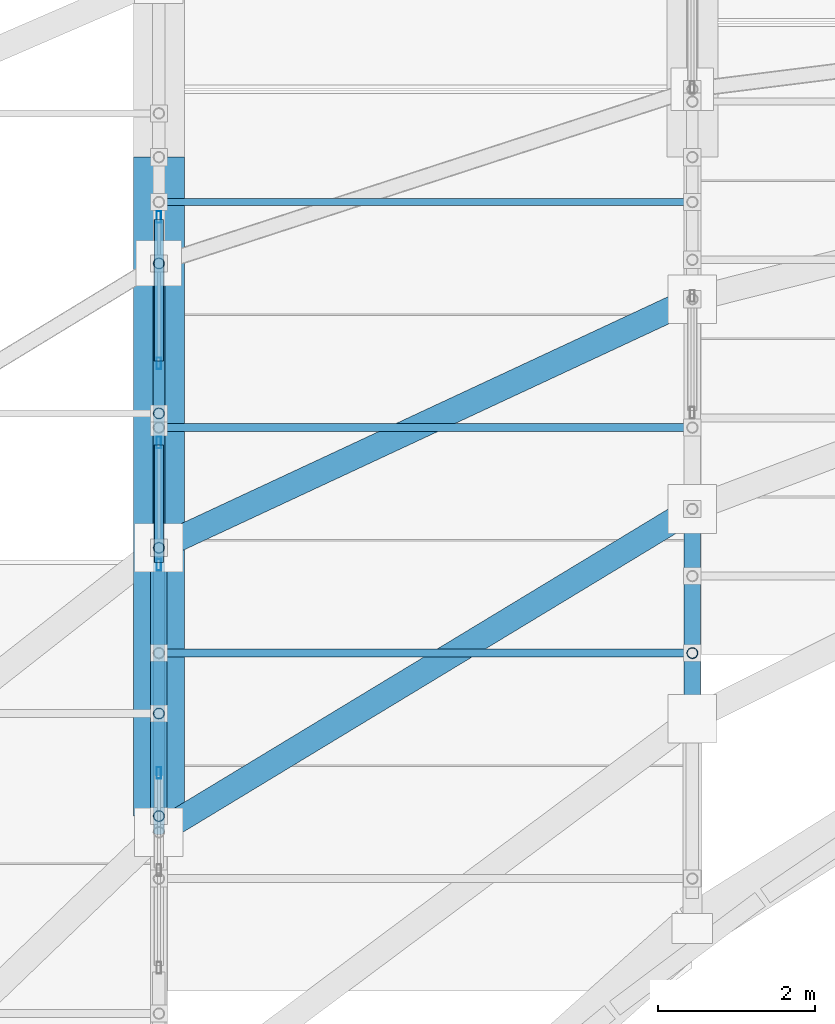
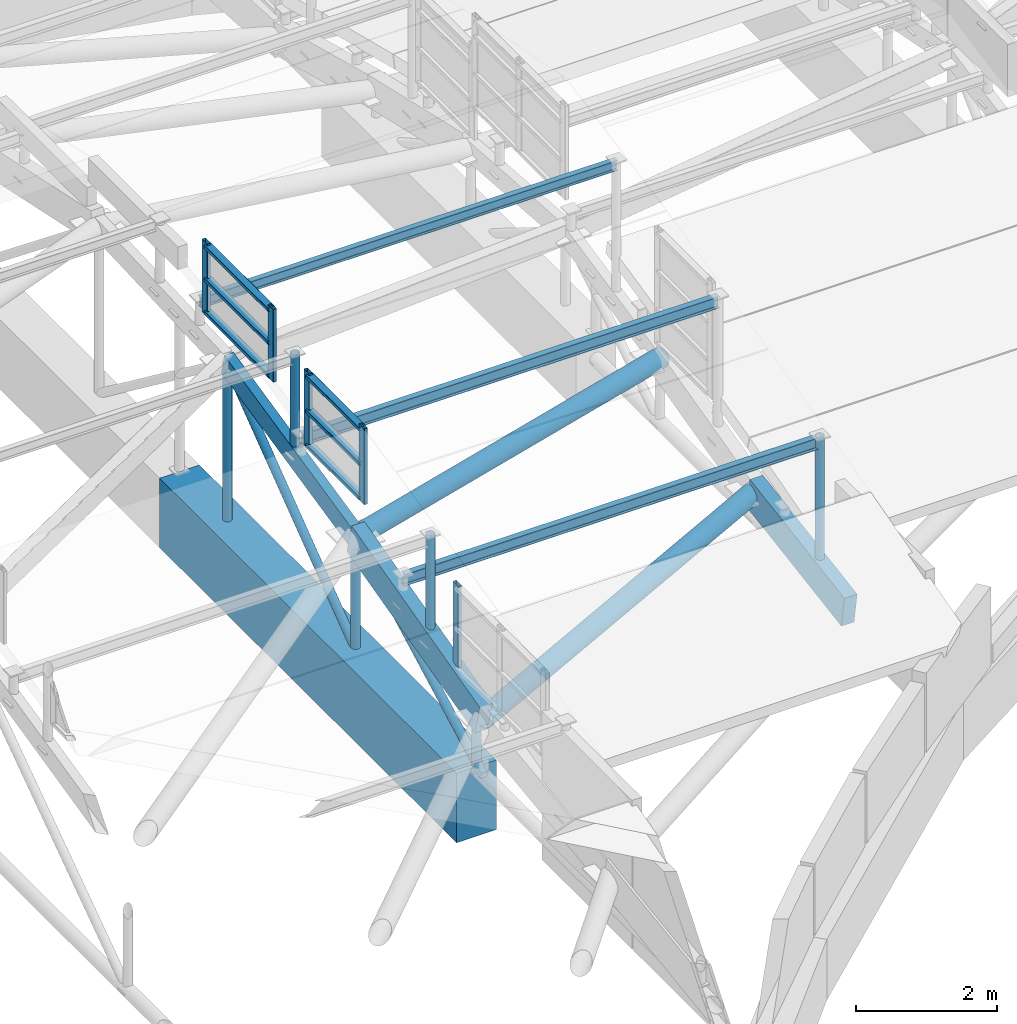
# One storey, part 102 of 188: 27 members, 1 beam, 3 elements without a shape of their own.
"""IFC4 building model written with IfcOpenShell, lengths in metres."""

from ifc_helpers import new_model, si_unit, direction, frame, origin, origin_2d, place, context, subcontext, project, spatial, rectangle, hollow_rectangle, hollow_circle, i_section, extrude, material, layer, layer_set, material_profile, profile_set, type_object, element, aggregate, save


model = new_model("IFC4")

# Units and contexts
model_context = context("Model", 3, precision=1e-05, world=origin(), true_north=direction((0.0, 1.0)))
body_context = subcontext(model_context, "Body", "Model", "MODEL_VIEW")
ifc_project = project(units=[si_unit("LENGTHUNIT", "METRE"), si_unit("AREAUNIT", "SQUARE_METRE"), si_unit("VOLUMEUNIT", "CUBIC_METRE"), si_unit("PLANEANGLEUNIT", "RADIAN"), si_unit("MASSUNIT", "GRAM", prefix="KILO")], contexts=[model_context])

# Site, building, storey
site_placement = place(None, origin())
site = spatial("IfcSite", under=ifc_project, at=site_placement, CompositionType="ELEMENT")
building_placement = place(site_placement, origin())
building = spatial("IfcBuilding", under=site, at=building_placement, Name="Kisaragi Civic Commons", CompositionType="ELEMENT")
storey_placement = place(building_placement, frame((0.0, 0.0, 9.60009765625)))
storey = spatial("IfcBuildingStorey", under=building, at=storey_placement, Name="L02", CompositionType="ELEMENT", Elevation=9.60009765625)

# Curtain wall, member
ifc_material_1 = material(Name="Thermally broken anodized aluminium and low-E double glazing", Category="aluminium")
ifc_layer = layer(ifc_material_1, 0.14990234375, Name="Thermally broken anodized aluminium and low-E double glazing", Category="aluminium")
ifc_layer_set = layer_set([ifc_layer], Name="Thermally broken anodized aluminium and low-E double glazing")
curtain_wall_type = type_object("IfcCurtainWallType", Name="CW-03", PredefinedType="NOTDEFINED", material=ifc_layer_set)
curtain_wall_1_placement = place(storey_placement, origin())
curtain_wall_1 = element("IfcCurtainWall", 1, at=curtain_wall_1_placement, inside=storey, type_object=curtain_wall_type, Name="L02 curtain wall CW-03 CW-CL-V2-209", PredefinedType="NOTDEFINED")
ifc_material_profile_1 = material_profile(ifc_material_1, hollow_rectangle(XDim=0.06005859375, YDim=0.14990234375, WallThickness=0.00390625, InnerFilletRadius=0.00390625, OuterFilletRadius=0.008056640625, at=origin_2d()), Name="CWM-60x150x4", Category="aluminium")
ifc_profile_set_1 = profile_set([ifc_material_profile_1], Name="Thermally broken anodized aluminium and low-E double glazing")
member_type_1 = type_object("IfcMemberType", Name="CWM-01", PredefinedType="MULLION", material=ifc_profile_set_1)
member_1_placement = place(storey_placement, frame((34.0, 96.550048828125, 1.2880859375), z_axis=(0.0, 0.0, 1.0), x_axis=(-1.0, 0.0, 0.0)))
member_1 = element("IfcMember", 2, at=member_1_placement, type_object=member_type_1, Name="CW-03 mullion 3", PredefinedType="MULLION", context=body_context, shape_type="SweptSolid", body=[
    extrude(hollow_rectangle(XDim=0.06005859375, YDim=0.14990234375, WallThickness=0.00390625, InnerFilletRadius=0.00390625, OuterFilletRadius=0.008056640625, at=origin_2d()), origin(), (0.0, 0.0, 1.0), 1.49609375),
])
aggregate(curtain_wall_1, [member_1])

# Curtain wall, members
curtain_wall_2_placement = place(storey_placement, origin())
curtain_wall_2 = element("IfcCurtainWall", 3, at=curtain_wall_2_placement, inside=storey, type_object=curtain_wall_type, Name="L02 curtain wall CW-03 CW-CL-V2-211", PredefinedType="NOTDEFINED")
member_2_placement = place(storey_placement, frame((34.0, 99.202392578125, 2.58056640625), z_axis=(0.0, 0.0, 1.0), x_axis=(-1.0, 0.0, 0.0)))
member_2 = element("IfcMember", 4, at=member_2_placement, type_object=member_type_1, Name="CW-03 mullion 1", PredefinedType="MULLION", context=body_context, shape_type="SweptSolid", body=[
    extrude(hollow_rectangle(XDim=0.06005859375, YDim=0.14990234375, WallThickness=0.00390625, InnerFilletRadius=0.00390625, OuterFilletRadius=0.008056640625, at=origin_2d()), origin(), (0.0, 0.0, 1.0), 1.311279296875),
])
member_3_placement = place(storey_placement, frame((34.0, 100.76220703125, 2.58056640625), z_axis=(0.0, 0.0, 1.0), x_axis=(-1.0, 0.0, 0.0)))
member_3 = element("IfcMember", 5, at=member_3_placement, type_object=member_type_1, Name="CW-03 mullion 2", PredefinedType="MULLION", context=body_context, shape_type="SweptSolid", body=[
    extrude(hollow_rectangle(XDim=0.06005859375, YDim=0.14990234375, WallThickness=0.00390625, InnerFilletRadius=0.00390625, OuterFilletRadius=0.008056640625, at=origin_2d()), origin(), (0.0, 0.0, 1.0), 1.311279296875),
])

curtain_wall_3_placement = place(storey_placement, origin())
curtain_wall_3 = element("IfcCurtainWall", 6, at=curtain_wall_3_placement, inside=storey, type_object=curtain_wall_type, Name="L02 curtain wall CW-03 CW-CL-V2-212", PredefinedType="NOTDEFINED")
member_4_placement = place(storey_placement, frame((34.0, 101.770751953125, 3.1328125), z_axis=(0.0, 0.0, 1.0), x_axis=(-1.0, 0.0, 0.0)))
member_4 = element("IfcMember", 7, at=member_4_placement, type_object=member_type_1, Name="CW-03 mullion 1", PredefinedType="MULLION", context=body_context, shape_type="SweptSolid", body=[
    extrude(hollow_rectangle(XDim=0.06005859375, YDim=0.14990234375, WallThickness=0.00390625, InnerFilletRadius=0.00390625, OuterFilletRadius=0.008056640625, at=origin_2d()), origin(), (0.0, 0.0, 1.0), 1.25830078125),
])
member_5_placement = place(storey_placement, frame((34.0, 103.63720703125, 3.1328125), z_axis=(0.0, 0.0, 1.0), x_axis=(-1.0, 0.0, 0.0)))
member_5 = element("IfcMember", 8, at=member_5_placement, type_object=member_type_1, Name="CW-03 mullion 2", PredefinedType="MULLION", context=body_context, shape_type="SweptSolid", body=[
    extrude(hollow_rectangle(XDim=0.06005859375, YDim=0.14990234375, WallThickness=0.00390625, InnerFilletRadius=0.00390625, OuterFilletRadius=0.008056640625, at=origin_2d()), origin(), (0.0, 0.0, 1.0), 1.25830078125),
])

# Member
ifc_material_profile_2 = material_profile(ifc_material_1, hollow_rectangle(XDim=0.1201171875, YDim=0.06005859375, WallThickness=0.00390625, InnerFilletRadius=0.00390625, OuterFilletRadius=0.008056640625, at=origin_2d()), Name="CWT-60x120x4", Category="aluminium")
ifc_profile_set_2 = profile_set([ifc_material_profile_2], Name="Thermally broken anodized aluminium and low-E double glazing")
member_type_2 = type_object("IfcMemberType", Name="CWT-01", PredefinedType="USERDEFINED", material=ifc_profile_set_2)
member_6_placement = place(storey_placement, frame((34.0, 99.232421875, 2.640380859375), z_axis=(0.0, 1.0, 0.0), x_axis=(-1.0, 0.0, 0.0)))
member_6 = element("IfcMember", 9, at=member_6_placement, type_object=member_type_2, Name="CW-03 transom 1.1", ObjectType="TRANSOM", PredefinedType="USERDEFINED", context=body_context, shape_type="SweptSolid", body=[
    extrude(hollow_rectangle(XDim=0.1201171875, YDim=0.06005859375, WallThickness=0.00390625, InnerFilletRadius=0.00390625, OuterFilletRadius=0.008056640625, at=origin_2d()), origin(), (0.0, 0.0, 1.0), 1.499755859375),
])

member_7_placement = place(storey_placement, frame((34.0, 99.232421875, 3.236083984375), z_axis=(0.0, 1.0, 0.0), x_axis=(-1.0, 0.0, 0.0)))
member_7 = element("IfcMember", 10, at=member_7_placement, type_object=member_type_2, Name="CW-03 transom 1.2", ObjectType="TRANSOM", PredefinedType="USERDEFINED", context=body_context, shape_type="SweptSolid", body=[
    extrude(hollow_rectangle(XDim=0.1201171875, YDim=0.06005859375, WallThickness=0.00390625, InnerFilletRadius=0.00390625, OuterFilletRadius=0.008056640625, at=origin_2d()), origin(), (0.0, 0.0, 1.0), 1.499755859375),
])

member_8_placement = place(storey_placement, frame((34.0, 99.232421875, 3.831787109375), z_axis=(0.0, 1.0, 0.0), x_axis=(-1.0, 0.0, 0.0)))
member_8 = element("IfcMember", 11, at=member_8_placement, type_object=member_type_2, Name="CW-03 transom 1.3", ObjectType="TRANSOM", PredefinedType="USERDEFINED", context=body_context, shape_type="SweptSolid", body=[
    extrude(hollow_rectangle(XDim=0.1201171875, YDim=0.06005859375, WallThickness=0.00390625, InnerFilletRadius=0.00390625, OuterFilletRadius=0.008056640625, at=origin_2d()), origin(), (0.0, 0.0, 1.0), 1.499755859375),
])

aggregate(curtain_wall_2, [member_2, member_3, member_6, member_7, member_8])

member_9_placement = place(storey_placement, frame((34.0, 101.80078125, 3.19287109375), z_axis=(0.0, 1.0, 0.0), x_axis=(-1.0, 0.0, 0.0)))
member_9 = element("IfcMember", 12, at=member_9_placement, type_object=member_type_2, Name="CW-03 transom 1.1", ObjectType="TRANSOM", PredefinedType="USERDEFINED", context=body_context, shape_type="SweptSolid", body=[
    extrude(hollow_rectangle(XDim=0.1201171875, YDim=0.06005859375, WallThickness=0.00390625, InnerFilletRadius=0.00390625, OuterFilletRadius=0.008056640625, at=origin_2d()), origin(), (0.0, 0.0, 1.0), 1.806396484375),
])

member_10_placement = place(storey_placement, frame((34.0, 101.80078125, 3.761962890625), z_axis=(0.0, 1.0, 0.0), x_axis=(-1.0, 0.0, 0.0)))
member_10 = element("IfcMember", 13, at=member_10_placement, type_object=member_type_2, Name="CW-03 transom 1.2", ObjectType="TRANSOM", PredefinedType="USERDEFINED", context=body_context, shape_type="SweptSolid", body=[
    extrude(hollow_rectangle(XDim=0.1201171875, YDim=0.06005859375, WallThickness=0.00390625, InnerFilletRadius=0.00390625, OuterFilletRadius=0.008056640625, at=origin_2d()), origin(), (0.0, 0.0, 1.0), 1.806396484375),
])

member_11_placement = place(storey_placement, frame((34.0, 101.80078125, 4.3310546875), z_axis=(0.0, 1.0, 0.0), x_axis=(-1.0, 0.0, 0.0)))
member_11 = element("IfcMember", 14, at=member_11_placement, type_object=member_type_2, Name="CW-03 transom 1.3", ObjectType="TRANSOM", PredefinedType="USERDEFINED", context=body_context, shape_type="SweptSolid", body=[
    extrude(hollow_rectangle(XDim=0.1201171875, YDim=0.06005859375, WallThickness=0.00390625, InnerFilletRadius=0.00390625, OuterFilletRadius=0.008056640625, at=origin_2d()), origin(), (0.0, 0.0, 1.0), 1.806396484375),
])

aggregate(curtain_wall_3, [member_4, member_5, member_9, member_10, member_11])

# Beam
ifc_material_2 = material(Name="Concrete Fc36", Category="concrete")
ifc_material_profile_3 = material_profile(ifc_material_2, rectangle(XDim=0.64990234375, YDim=1.199951171875, at=origin_2d()), Name="RC-650x1200", Category="concrete")
ifc_profile_set_3 = profile_set([ifc_material_profile_3], Name="Concrete Fc36")
beam_type = type_object("IfcBeamType", Name="G-07", PredefinedType="BEAM", material=ifc_profile_set_3)
beam_placement = place(storey_placement, frame((34.0, 96.0, -0.650146484375), z_axis=(0.0, 1.0, 0.0), x_axis=(-1.0, 0.0, 0.0)))
element("IfcBeam", 15, at=beam_placement, inside=storey, type_object=beam_type, Name="V2 arch transfer RC girder G-07 R5", PredefinedType="BEAM", context=body_context, shape_type="SweptSolid", body=[
    extrude(rectangle(XDim=0.64990234375, YDim=1.199951171875, at=origin_2d()), origin(), (0.0, 0.0, 1.0), 8.39990234375),
])

# Members
ifc_material_3 = material(Name="Steel SN490 (SN490B)", Category="steel")
ifc_material_profile_4 = material_profile(ifc_material_3, hollow_circle(Radius=0.1591796875, WallThickness=0.01025390625, at=origin_2d()), Name="CHS-318.5x10.3", Category="steel")
ifc_profile_set_4 = profile_set([ifc_material_profile_4], Name="Steel SN490 (SN490B)")
member_type_3 = type_object("IfcMemberType", Name="GC-03", PredefinedType="CHORD", material=ifc_profile_set_4)
member_12_placement = place(storey_placement, frame((34.0, 95.794677734375, 0.912841796875), z_axis=(0.849078594733, 0.514452675285, -0.120016602429), x_axis=(-0.51819827212, 0.855260516317, 0.0)))
element("IfcMember", 16, at=member_12_placement, inside=storey, type_object=member_type_3, Name="V2 wave gridshell chord GC-03 37", PredefinedType="CHORD", context=body_context, shape_type="SweptSolid", body=[
    extrude(hollow_circle(Radius=0.1591796875, WallThickness=0.01025390625, at=origin_2d()), origin(), (0.0, 0.0, 1.0), 8.0087890625),
])
member_13_placement = place(storey_placement, frame((34.0, 99.419921875, 1.848876953125), z_axis=(0.894555881618, 0.416975514704, -0.160938481413), x_axis=(-0.42248281492, 0.906370934605, 0.0)))
element("IfcMember", 17, at=member_13_placement, inside=storey, type_object=member_type_3, Name="V2 wave gridshell chord GC-03 38", PredefinedType="CHORD", context=body_context, shape_type="SweptSolid", body=[
    extrude(hollow_circle(Radius=0.1591796875, WallThickness=0.01025390625, at=origin_2d()), origin(), (0.0, 0.0, 1.0), 7.6015625),
])
ifc_material_4 = material(Name="Glulam E120-F330", Category="wood")
ifc_material_profile_5 = material_profile(ifc_material_4, rectangle(XDim=0.2099609375, YDim=0.5400390625, at=origin_2d()), Name="GL-210x540", Category="wood")
ifc_profile_set_5 = profile_set([ifc_material_profile_5], Name="Glulam E120-F330")
member_type_4 = type_object("IfcMemberType", Name="GR-04", PredefinedType="RAFTER", material=ifc_profile_set_5)
member_14_placement = place(storey_placement, frame((34.0, 95.794677734375, 0.912841796875), z_axis=(0.0, 0.968245762586, 0.250000286467), x_axis=(-1.0, 0.0, 0.0)))
element("IfcMember", 18, at=member_14_placement, inside=storey, type_object=member_type_4, Name="V2 glulam arch rib GR-04 43", PredefinedType="RAFTER", context=body_context, shape_type="SweptSolid", body=[
    extrude(rectangle(XDim=0.2099609375, YDim=0.5400390625, at=origin_2d()), origin(), (0.0, 0.0, 1.0), 3.744140625),
])
member_15_placement = place(storey_placement, frame((40.800048828125, 97.239990234375, -0.48193359375), z_axis=(0.0, 0.987114710358, 0.160014213727), x_axis=(-1.0, 0.0, 0.0)))
element("IfcMember", 19, at=member_15_placement, inside=storey, type_object=member_type_4, Name="V2 glulam arch rib GR-04 50", PredefinedType="RAFTER", context=body_context, shape_type="SweptSolid", body=[
    extrude(rectangle(XDim=0.2099609375, YDim=0.5400390625, at=origin_2d()), origin(), (0.0, 0.0, 1.0), 2.709716796875),
])
ifc_material_profile_6 = material_profile(ifc_material_4, rectangle(XDim=0.14990234375, YDim=0.360107421875, at=origin_2d()), Name="GL-150x360", Category="wood")
ifc_profile_set_6 = profile_set([ifc_material_profile_6], Name="Glulam E120-F330")
member_type_5 = type_object("IfcMemberType", Name="GR-06", PredefinedType="RAFTER", material=ifc_profile_set_6)
member_16_placement = place(storey_placement, frame((34.0, 99.419921875, 1.848876953125), z_axis=(0.0, 0.976225717338, 0.216756427373), x_axis=(-1.0, 0.0, 0.0)))
element("IfcMember", 20, at=member_16_placement, inside=storey, type_object=member_type_5, Name="V2 glulam arch rib GR-06 44", PredefinedType="RAFTER", context=body_context, shape_type="SweptSolid", body=[
    extrude(rectangle(XDim=0.14990234375, YDim=0.360107421875, at=origin_2d()), origin(), (0.0, 0.0, 1.0), 3.713623046875),
])
ifc_material_5 = material(Name="Steel SN400 (SN400B)", Category="steel")
ifc_material_profile_7 = material_profile(ifc_material_5, i_section(OverallWidth=0.10009765625, OverallDepth=0.199951171875, WebThickness=0.005615234375, FlangeThickness=0.008056640625, FilletRadius=0.008056640625, at=origin_2d()), Name="H-200x100x5.5x8", Category="steel")
ifc_profile_set_7 = profile_set([ifc_material_profile_7], Name="Steel SN400 (SN400B)")
member_type_6 = type_object("IfcMemberType", Name="PR-02", PredefinedType="PURLIN", material=ifc_profile_set_7)
for number, where, z_axis, x_axis, name in (
    (21, (34.0, 98.077392578125, 1.93310546875), (1.0, 0.0, 0.0), (0.0, 1.0, 0.0), "V2 wave vault steel purlin 42"),
    (22, (34.0, 100.9521484375, 2.61328125), (1.0, 0.0, 0.0), (0.0, 1.0, 0.0), "V2 wave vault steel purlin 43"),
):
    element("IfcMember", number, at=place(storey_placement, frame(where, z_axis=z_axis, x_axis=x_axis)), inside=storey, type_object=member_type_6, Name=name, PredefinedType="PURLIN", context=body_context, shape_type="SweptSolid", body=[
        extrude(i_section(OverallWidth=0.10009765625, OverallDepth=0.199951171875, WebThickness=0.005615234375, FlangeThickness=0.008056640625, FilletRadius=0.008056640625, at=origin_2d()), origin(), (0.0, 0.0, 1.0), 6.800048828125),
    ])
ifc_material_profile_8 = material_profile(ifc_material_5, i_section(OverallWidth=0.090087890625, OverallDepth=0.175048828125, WebThickness=0.0048828125, FlangeThickness=0.008056640625, FilletRadius=0.008056640625, at=origin_2d()), Name="H-175x90x5x8", Category="steel")
ifc_profile_set_8 = profile_set([ifc_material_profile_8], Name="Steel SN400 (SN400B)")
member_type_7 = type_object("IfcMemberType", Name="PR-03", PredefinedType="PURLIN", material=ifc_profile_set_8)
member_17_placement = place(storey_placement, frame((34.0, 103.8271484375, 3.227294921875), z_axis=(1.0, 0.0, 0.0), x_axis=(0.0, 1.0, 0.0)))
element("IfcMember", 23, at=member_17_placement, inside=storey, type_object=member_type_7, Name="V2 wave vault steel purlin 44", PredefinedType="PURLIN", context=body_context, shape_type="SweptSolid", body=[
    extrude(i_section(OverallWidth=0.090087890625, OverallDepth=0.175048828125, WebThickness=0.0048828125, FlangeThickness=0.008056640625, FilletRadius=0.008056640625, at=origin_2d()), origin(), (0.0, 0.0, 1.0), 6.800048828125),
])
ifc_material_profile_9 = material_profile(ifc_material_3, hollow_circle(Radius=0.06982421875, WallThickness=0.006103515625, at=origin_2d()), Name="CHS-139.8x6.0", Category="steel")
ifc_profile_set_9 = profile_set([ifc_material_profile_9], Name="Steel SN490 (SN490B)")
member_type_8 = type_object("IfcMemberType", Name="ST-H1", PredefinedType="STRUT", material=ifc_profile_set_9)
member_18_placement = place(storey_placement, frame((34.0, 99.419921875, -0.080078125), z_axis=(0.0, 0.0, 1.0), x_axis=(1.0, 0.0, 0.0)))
element("IfcMember", 24, at=member_18_placement, inside=storey, type_object=member_type_8, Name="V2 arch tie hanger strut 76", PredefinedType="STRUT", context=body_context, shape_type="SweptSolid", body=[
    extrude(hollow_circle(Radius=0.06982421875, WallThickness=0.006103515625, at=origin_2d()), origin(), (0.0, 0.0, 1.0), 1.928955078125),
])
member_19_placement = place(storey_placement, frame((34.0, 103.045166015625, -0.080078125), z_axis=(0.0, 0.0, 1.0), x_axis=(1.0, 0.0, 0.0)))
element("IfcMember", 25, at=member_19_placement, inside=storey, type_object=member_type_8, Name="V2 arch tie hanger strut 77", PredefinedType="STRUT", context=body_context, shape_type="SweptSolid", body=[
    extrude(hollow_circle(Radius=0.06982421875, WallThickness=0.006103515625, at=origin_2d()), origin(), (0.0, 0.0, 1.0), 2.73388671875),
])
member_20_placement = place(storey_placement, frame((34.0, 95.794677734375, -0.080078125), z_axis=(0.0, 0.882808397321, 0.469733257945), x_axis=(-1.0, 0.0, 0.0)))
element("IfcMember", 26, at=member_20_placement, inside=storey, type_object=member_type_8, Name="V2 tied arch truss diagonal web strut 82", PredefinedType="STRUT", context=body_context, shape_type="SweptSolid", body=[
    extrude(hollow_circle(Radius=0.06982421875, WallThickness=0.006103515625, at=origin_2d()), origin(), (0.0, 0.0, 1.0), 4.1064453125),
])
member_21_placement = place(storey_placement, frame((34.0, 99.419921875, -0.080078125), z_axis=(0.0, 0.798416413719, 0.602105663737), x_axis=(-1.0, 0.0, 0.0)))
element("IfcMember", 27, at=member_21_placement, inside=storey, type_object=member_type_8, Name="V2 tied arch truss diagonal web strut 83", PredefinedType="STRUT", context=body_context, shape_type="SweptSolid", body=[
    extrude(hollow_circle(Radius=0.06982421875, WallThickness=0.006103515625, at=origin_2d()), origin(), (0.0, 0.0, 1.0), 4.54052734375),
])
member_22_placement = place(storey_placement, frame((34.0, 96.0, -0.02001953125), z_axis=(0.0, 0.0, 1.0), x_axis=(1.0, 0.0, 0.0)))
element("IfcMember", 28, at=member_22_placement, inside=storey, type_object=member_type_8, Name="V2 interior column arch support post (34.0,96.0)", PredefinedType="STRUT", context=body_context, shape_type="SweptSolid", body=[
    extrude(hollow_circle(Radius=0.06982421875, WallThickness=0.006103515625, at=origin_2d()), origin(), (0.0, 0.0, 1.0), 0.98583984375),
])
member_23_placement = place(storey_placement, frame((34.0, 97.30712890625, 1.303466796875), z_axis=(0.0, 0.0, 1.0), x_axis=(1.0, 0.0, 0.0)))
element("IfcMember", 29, at=member_23_placement, inside=storey, type_object=member_type_8, Name="V2 clerestory monitor horizontal tie strut 5.5.3", PredefinedType="STRUT", context=body_context, shape_type="SweptSolid", body=[
    extrude(hollow_circle(Radius=0.06982421875, WallThickness=0.006103515625, at=origin_2d()), origin(), (0.0, 0.0, 1.0), 1.886474609375),
])
member_24_placement = place(storey_placement, frame((34.0, 101.132568359375, 2.229248046875), z_axis=(0.0, 0.0, 1.0), x_axis=(1.0, 0.0, 0.0)))
element("IfcMember", 30, at=member_24_placement, inside=storey, type_object=member_type_8, Name="V2 clerestory monitor horizontal tie strut 5.5.4", PredefinedType="STRUT", context=body_context, shape_type="SweptSolid", body=[
    extrude(hollow_circle(Radius=0.06982421875, WallThickness=0.006103515625, at=origin_2d()), origin(), (0.0, 0.0, 1.0), 1.76025390625),
])
member_25_placement = place(storey_placement, frame((40.800048828125, 98.077392578125, -0.34619140625), z_axis=(0.0, 0.0, 1.0), x_axis=(1.0, 0.0, 0.0)))
element("IfcMember", 31, at=member_25_placement, inside=storey, type_object=member_type_8, Name="V2 clerestory monitor horizontal tie strut 6.6.2", PredefinedType="STRUT", context=body_context, shape_type="SweptSolid", body=[
    extrude(hollow_circle(Radius=0.06982421875, WallThickness=0.006103515625, at=origin_2d()), origin(), (0.0, 0.0, 1.0), 2.37939453125),
])

save(model, "model.ifc")
